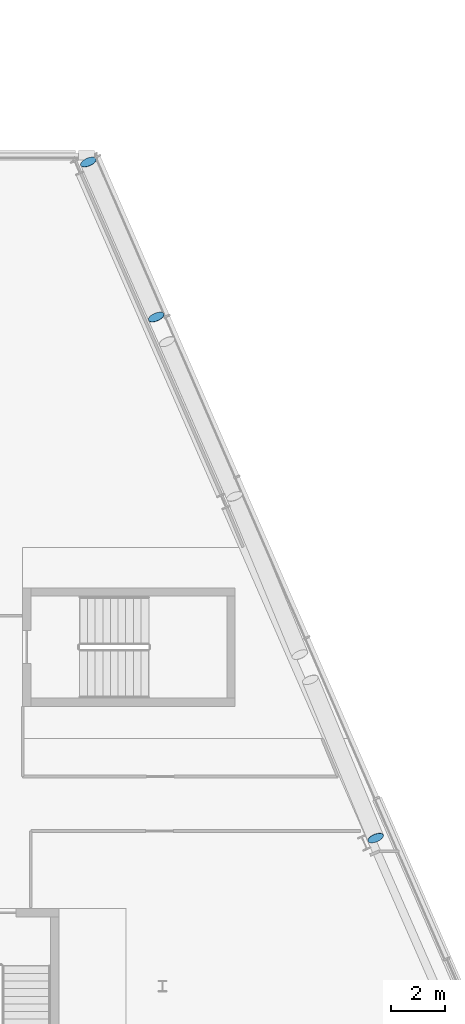
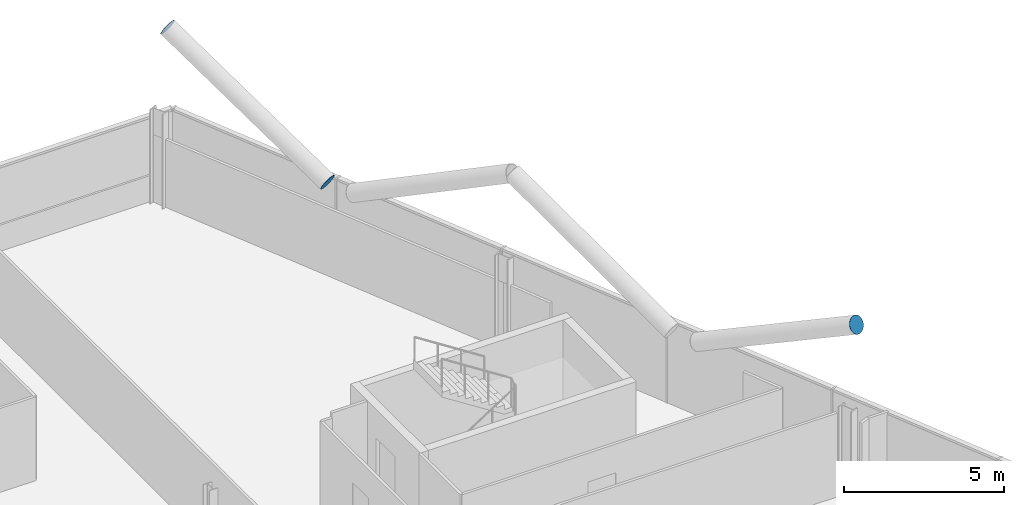
# One storey, part 23 of 26: 3 discrete accessories.
"""IFC4 building model written with IfcOpenShell, lengths in metres."""

from ifc_helpers import new_model, si_unit, direction, frame, origin, origin_2d, place, context, subcontext, project, spatial, circle, extrude, material, material_profile, profile_set, type_object, element, save


model = new_model("IFC4")

# Units and contexts
model_context = context("Model", 3, precision=1e-05, world=origin(), true_north=direction((0.0, 1.0)))
body_context = subcontext(model_context, "Body", "Model", "MODEL_VIEW")
ifc_project = project(units=[si_unit("LENGTHUNIT", "METRE"), si_unit("AREAUNIT", "SQUARE_METRE"), si_unit("VOLUMEUNIT", "CUBIC_METRE"), si_unit("PLANEANGLEUNIT", "RADIAN"), si_unit("MASSUNIT", "GRAM", prefix="KILO")], contexts=[model_context])

# Site, building, storey
site_placement = place(None, origin())
site = spatial("IfcSite", under=ifc_project, at=site_placement, CompositionType="ELEMENT")
building_placement = place(site_placement, origin())
building = spatial("IfcBuilding", under=site, at=building_placement, Name="Wharfspan Tower", CompositionType="ELEMENT")
storey_placement = place(building_placement, frame((0.0, 0.0, 214.300049)))
storey = spatial("IfcBuildingStorey", under=building, at=storey_placement, Name="L53", CompositionType="ELEMENT", Elevation=214.300049)

# Discrete accessories
ifc_material = material(Name="Steel S460NH", Category="steel")
ifc_material_profile = material_profile(ifc_material, circle(Radius=0.304932, at=origin_2d()))
ifc_profile_set = profile_set([ifc_material_profile], Name="Steel S460NH")
discrete_accessory_type = type_object("IfcDiscreteAccessoryType", Name="End plate CHS 610x25", PredefinedType="BRACKET", material=ifc_profile_set)
for number, where, z_axis, x_axis, name in (
    (1, (79.826904, 16.943115, 6.5), (0.338259, -0.821486, 0.459066), (0.924676, 0.380749, 0.0), "End plate CHS 610x25"),
    (2, (71.773193, 36.061523, 3.161865), (-0.345075, 0.81339, 0.468316), (-0.920586, -0.390551, -2e-06), "End plate CHS 610x25"),
    (3, (69.284424, 41.753662, 6.5), (-0.345075, 0.81339, 0.468316), (-0.920586, -0.390551, -2e-06), "End plate CHS 610x25"),
):
    element("IfcDiscreteAccessory", number, at=place(storey_placement, frame(where, z_axis=z_axis, x_axis=x_axis)), inside=storey, type_object=discrete_accessory_type, Name=name, PredefinedType="BRACKET", context=body_context, shape_type="SweptSolid", body=[
        extrude(circle(Radius=0.304932, at=origin_2d()), origin(), (0.0, 0.0, 1.0), 0.01001),
    ])

save(model, "model.ifc")
